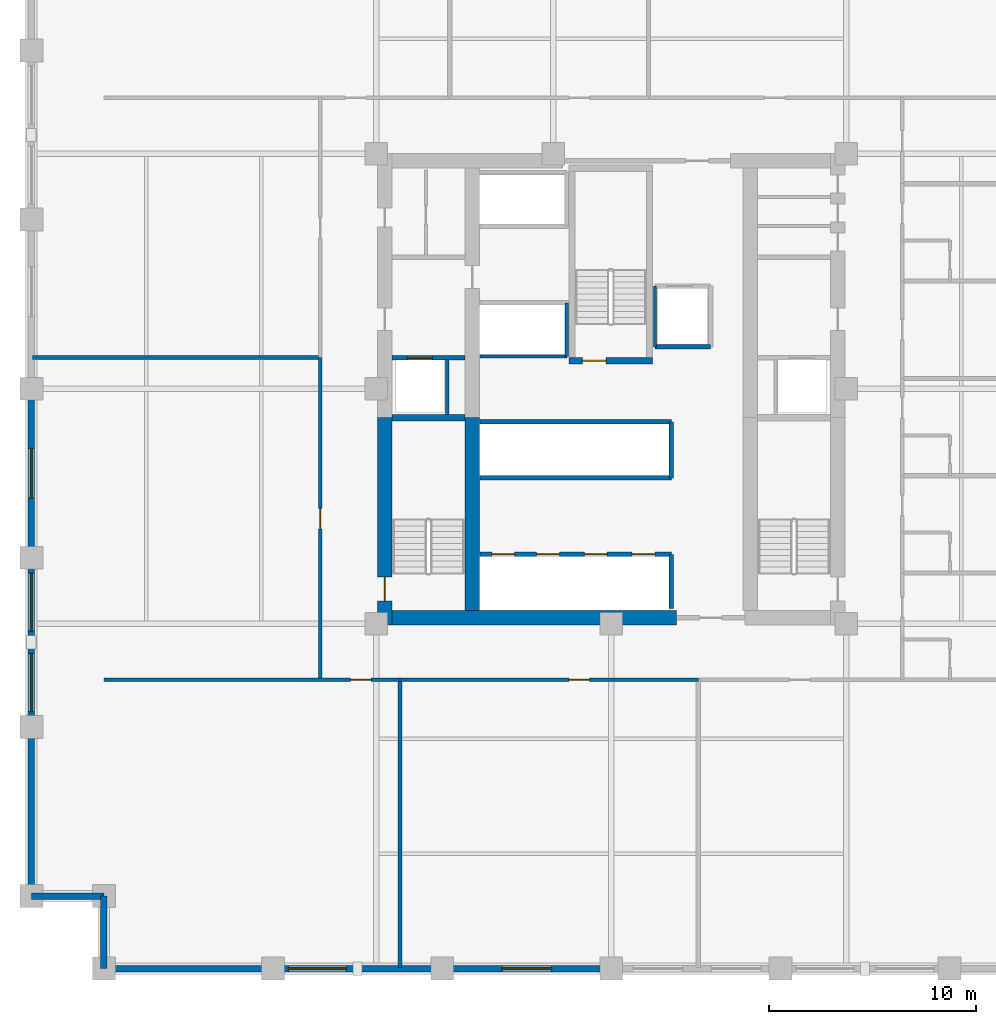
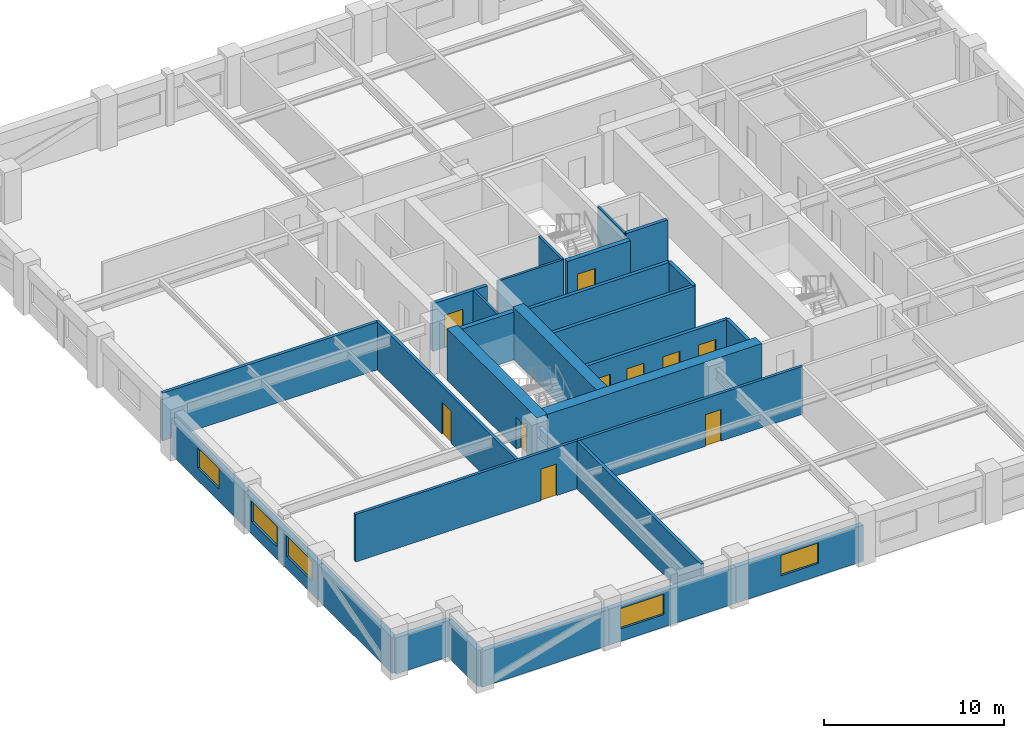
# One storey, part 2 of 7: 29 walls, 10 doors, 5 windows, 15 openings.
"""IFC4 building model written with IfcOpenShell, lengths in metres."""

from ifc_helpers import new_model, si_unit, direction, frame, frame_2d, origin, place, context, subcontext, project, spatial, rectangle, extrude, material, layer, layer_set, type_object, element, fill, save


model = new_model("IFC4")

# Units and contexts
model_context = context("Model", 3, precision=1e-05, world=origin(), true_north=direction((0.0, 1.0)))
body_context = subcontext(model_context, "Body", "Model", "MODEL_VIEW")
ifc_project = project(units=[si_unit("LENGTHUNIT", "METRE"), si_unit("AREAUNIT", "SQUARE_METRE"), si_unit("VOLUMEUNIT", "CUBIC_METRE"), si_unit("PLANEANGLEUNIT", "RADIAN"), si_unit("MASSUNIT", "GRAM", prefix="KILO")], contexts=[model_context])

# Site, building, storey
site_placement = place(None, origin())
site = spatial("IfcSite", under=ifc_project, at=site_placement, CompositionType="ELEMENT")
building_placement = place(site_placement, origin())
building = spatial("IfcBuilding", under=site, at=building_placement, Name="Nhamokura Convention Tower", CompositionType="ELEMENT")
storey_placement = place(building_placement, frame((0.0, 0.0, 73.85009765625)))
storey = spatial("IfcBuildingStorey", under=building, at=storey_placement, Name="L17", CompositionType="ELEMENT", Elevation=73.85009765625)

# Wall
ifc_material_1 = material(Name="Bronze-pigmented precast concrete C45/55", Category="concrete")
ifc_layer_1 = layer(ifc_material_1, 0.320068359375)
ifc_layer_set_1 = layer_set([ifc_layer_1], Name="BronzePrecastSpandrel_320")
wall_type_1 = type_object("IfcWallType", Name="BronzePrecastSpandrel_320", PredefinedType="USERDEFINED", material=ifc_layer_set_1)
wall_1_placement = place(storey_placement, frame((15.666748046875, 4.0, 0.0), z_axis=(0.0, 0.0, 1.0), x_axis=(-1.0, 0.0, 0.0)))
element("IfcWall", 1, at=wall_1_placement, inside=storey, type_object=wall_type_1, Name="L17 Braced-Bay Precast Wall SOUTH 0", ObjectType="SPANDREL_WALL", PredefinedType="USERDEFINED", context=body_context, shape_type="SweptSolid", body=[
    extrude(rectangle(XDim=8.166748046875, YDim=0.320068359375, at=frame_2d((4.08349609375, 0.0))), origin(), (0.0, 0.0, 1.0), 2.43994140625),
])

# Wall, opening, window
wall_2_placement = place(storey_placement, frame((23.833251953125, 4.0, 0.0), z_axis=(0.0, 0.0, 1.0), x_axis=(-1.0, 0.0, 0.0)))
wall_2 = element("IfcWall", 2, at=wall_2_placement, inside=storey, type_object=wall_type_1, Name="L17 Masonry-Frame Wall SOUTH 1", ObjectType="SPANDREL_WALL", PredefinedType="USERDEFINED", context=body_context, shape_type="SweptSolid", body=[
    extrude(rectangle(XDim=8.16650390625, YDim=0.320068359375, at=frame_2d((4.083251953125, 0.0))), origin(), (0.0, 0.0, 1.0), 2.43994140625),
])
opening_1_placement = place(wall_2_placement, frame((4.625, 0.0, 0.85009765625)))
opening_1 = element("IfcOpeningElement", 3, at=opening_1_placement, cuts=wall_2, Name="Opening W-04", PredefinedType="OPENING", context=body_context, shape_type="SweptSolid", body=[
    extrude(rectangle(XDim=2.800048828125, YDim=1.389892578125, at=frame_2d((1.39990234375, 0.69482421875))), frame((0.0, 0.169921875, 0.0), z_axis=(0.0, -1.0, 0.0), x_axis=(1.0, 0.0, 0.0)), (0.0, 0.0, 1.0), 0.340087890625),
])
ifc_material_2 = material(Name="Solar-control bronze low-E double glass", Category="glass")
window_type_1 = type_object("IfcWindowType", Name="HotelSuiteWindow_2800", PartitioningType="DOUBLE_PANEL_VERTICAL", PredefinedType="WINDOW", material=ifc_material_2)
window_1_placement = place(opening_1_placement, origin())
window_1 = element("IfcWindow", 4, at=window_1_placement, inside=storey, type_object=window_type_1, Name="L17 Facade Window SOUTH 1-3", OverallHeight=1.389892578125, OverallWidth=2.800048828125, PartitioningType="SINGLE_PANEL", PredefinedType="WINDOW", context=body_context, shape_type="SweptSolid", body=[
    extrude(rectangle(XDim=2.800048828125, YDim=1.389892578125, at=frame_2d((1.39990234375, 0.69482421875))), frame((0.0, 0.030029296875, 0.0), z_axis=(0.0, -1.0, 0.0), x_axis=(1.0, 0.0, 0.0)), (0.0, 0.0, 1.0), 0.06005859375),
])
fill(opening_1, window_1)

wall_3_placement = place(storey_placement, frame((32.0, 4.0, 0.0), z_axis=(0.0, 0.0, 1.0), x_axis=(-1.0, 0.0, 0.0)))
wall_3 = element("IfcWall", 5, at=wall_3_placement, inside=storey, type_object=wall_type_1, Name="L17 Masonry-Frame Wall SOUTH 2", ObjectType="SPANDREL_WALL", PredefinedType="USERDEFINED", context=body_context, shape_type="SweptSolid", body=[
    extrude(rectangle(XDim=8.166748046875, YDim=0.320068359375, at=frame_2d((4.08349609375, 0.0))), origin(), (0.0, 0.0, 1.0), 2.43994140625),
])
opening_2_placement = place(wall_3_placement, frame((2.88330078125, 0.0, 0.85009765625)))
opening_2 = element("IfcOpeningElement", 6, at=opening_2_placement, cuts=wall_3, Name="Opening W-03", PredefinedType="OPENING", context=body_context, shape_type="SweptSolid", body=[
    extrude(rectangle(XDim=2.39990234375, YDim=1.389892578125, at=frame_2d((1.199951171875, 0.69482421875))), frame((0.0, 0.169921875, 0.0), z_axis=(0.0, -1.0, 0.0), x_axis=(1.0, 0.0, 0.0)), (0.0, 0.0, 1.0), 0.340087890625),
])
ifc_material_3 = material(Name="Solar-control bronze low-E double glass", Category="glass")
window_type_2 = type_object("IfcWindowType", Name="HotelBayWindow_2400", PartitioningType="DOUBLE_PANEL_VERTICAL", PredefinedType="WINDOW", material=ifc_material_3)
window_2_placement = place(opening_2_placement, origin())
window_2 = element("IfcWindow", 7, at=window_2_placement, inside=storey, type_object=window_type_2, Name="L17 Facade Window SOUTH 2", OverallHeight=1.389892578125, OverallWidth=2.39990234375, PartitioningType="SINGLE_PANEL", PredefinedType="WINDOW", context=body_context, shape_type="SweptSolid", body=[
    extrude(rectangle(XDim=2.39990234375, YDim=1.389892578125, at=frame_2d((1.199951171875, 0.69482421875))), frame((0.0, 0.030029296875, 0.0), z_axis=(0.0, -1.0, 0.0), x_axis=(1.0, 0.0, 0.0)), (0.0, 0.0, 1.0), 0.06005859375),
])
fill(opening_2, window_2)

# Wall
wall_4_placement = place(storey_placement, frame((4.0, 7.5, 0.0), z_axis=(0.0, 0.0, 1.0), x_axis=(0.0, 1.0, 0.0)))
element("IfcWall", 8, at=wall_4_placement, inside=storey, type_object=wall_type_1, Name="L17 Braced-Bay Precast Wall WEST 0", ObjectType="SPANDREL_WALL", PredefinedType="USERDEFINED", context=body_context, shape_type="SweptSolid", body=[
    extrude(rectangle(XDim=8.166748046875, YDim=0.320068359375, at=frame_2d((4.08349609375, 0.0))), origin(), (0.0, 0.0, 1.0), 2.43994140625),
])

# Wall, openings, windows
wall_5_placement = place(storey_placement, frame((4.0, 15.666748046875, 0.0), z_axis=(0.0, 0.0, 1.0), x_axis=(0.0, 1.0, 0.0)))
wall_5 = element("IfcWall", 9, at=wall_5_placement, inside=storey, type_object=wall_type_1, Name="L17 Masonry-Frame Wall WEST 1", ObjectType="SPANDREL_WALL", PredefinedType="USERDEFINED", context=body_context, shape_type="SweptSolid", body=[
    extrude(rectangle(XDim=8.16650390625, YDim=0.320068359375, at=frame_2d((4.083251953125, 0.0))), origin(), (0.0, 0.0, 1.0), 2.43994140625),
])
opening_3_placement = place(wall_5_placement, frame((0.74169921875, 0.0, 0.85009765625)))
opening_3 = element("IfcOpeningElement", 10, at=opening_3_placement, cuts=wall_5, Name="Opening W-04", PredefinedType="OPENING", context=body_context, shape_type="SweptSolid", body=[
    extrude(rectangle(XDim=2.800048828125, YDim=1.389892578125, at=frame_2d((1.39990234375, 0.69482421875))), frame((0.0, 0.169921875, 0.0), z_axis=(0.0, -1.0, 0.0), x_axis=(1.0, 0.0, 0.0)), (0.0, 0.0, 1.0), 0.340087890625),
])
opening_4_placement = place(wall_5_placement, frame((4.625, 0.0, 0.85009765625)))
opening_4 = element("IfcOpeningElement", 11, at=opening_4_placement, cuts=wall_5, Name="Opening W-04", PredefinedType="OPENING", context=body_context, shape_type="SweptSolid", body=[
    extrude(rectangle(XDim=2.800048828125, YDim=1.389892578125, at=frame_2d((1.39990234375, 0.69482421875))), frame((0.0, 0.169921875, 0.0), z_axis=(0.0, -1.0, 0.0), x_axis=(1.0, 0.0, 0.0)), (0.0, 0.0, 1.0), 0.340087890625),
])
window_3_placement = place(opening_3_placement, origin())
window_3 = element("IfcWindow", 12, at=window_3_placement, inside=storey, type_object=window_type_1, Name="L17 Facade Window WEST 1-1", OverallHeight=1.389892578125, OverallWidth=2.800048828125, PartitioningType="SINGLE_PANEL", PredefinedType="WINDOW", context=body_context, shape_type="SweptSolid", body=[
    extrude(rectangle(XDim=2.800048828125, YDim=1.389892578125, at=frame_2d((1.39990234375, 0.69482421875))), frame((0.0, 0.030029296875, 0.0), z_axis=(0.0, -1.0, 0.0), x_axis=(1.0, 0.0, 0.0)), (0.0, 0.0, 1.0), 0.06005859375),
])
fill(opening_3, window_3)
window_4_placement = place(opening_4_placement, origin())
window_4 = element("IfcWindow", 13, at=window_4_placement, inside=storey, type_object=window_type_1, Name="L17 Facade Window WEST 1-2", OverallHeight=1.389892578125, OverallWidth=2.800048828125, PartitioningType="SINGLE_PANEL", PredefinedType="WINDOW", context=body_context, shape_type="SweptSolid", body=[
    extrude(rectangle(XDim=2.800048828125, YDim=1.389892578125, at=frame_2d((1.39990234375, 0.69482421875))), frame((0.0, 0.030029296875, 0.0), z_axis=(0.0, -1.0, 0.0), x_axis=(1.0, 0.0, 0.0)), (0.0, 0.0, 1.0), 0.06005859375),
])
fill(opening_4, window_4)

# Wall, opening, window
wall_6_placement = place(storey_placement, frame((4.0, 23.833251953125, 0.0), z_axis=(0.0, 0.0, 1.0), x_axis=(0.0, 1.0, 0.0)))
wall_6 = element("IfcWall", 14, at=wall_6_placement, inside=storey, type_object=wall_type_1, Name="L17 Masonry-Frame Wall WEST 2", ObjectType="SPANDREL_WALL", PredefinedType="USERDEFINED", context=body_context, shape_type="SweptSolid", body=[
    extrude(rectangle(XDim=8.166748046875, YDim=0.320068359375, at=frame_2d((4.08349609375, 0.0))), origin(), (0.0, 0.0, 1.0), 2.43994140625),
])
opening_5_placement = place(wall_6_placement, frame((2.88330078125, 0.0, 0.85009765625)))
opening_5 = element("IfcOpeningElement", 15, at=opening_5_placement, cuts=wall_6, Name="Opening W-03", PredefinedType="OPENING", context=body_context, shape_type="SweptSolid", body=[
    extrude(rectangle(XDim=2.39990234375, YDim=1.389892578125, at=frame_2d((1.199951171875, 0.69482421875))), frame((0.0, 0.169921875, 0.0), z_axis=(0.0, -1.0, 0.0), x_axis=(1.0, 0.0, 0.0)), (0.0, 0.0, 1.0), 0.340087890625),
])
window_5_placement = place(opening_5_placement, origin())
window_5 = element("IfcWindow", 16, at=window_5_placement, inside=storey, type_object=window_type_2, Name="L17 Facade Window WEST 2", OverallHeight=1.389892578125, OverallWidth=2.39990234375, PartitioningType="SINGLE_PANEL", PredefinedType="WINDOW", context=body_context, shape_type="SweptSolid", body=[
    extrude(rectangle(XDim=2.39990234375, YDim=1.389892578125, at=frame_2d((1.199951171875, 0.69482421875))), frame((0.0, 0.030029296875, 0.0), z_axis=(0.0, -1.0, 0.0), x_axis=(1.0, 0.0, 0.0)), (0.0, 0.0, 1.0), 0.06005859375),
])
fill(opening_5, window_5)

# Walls
for number, where, z_axis, x_axis, name in (
    (17, (7.5, 4.0, 0.0), (0.0, 0.0, 1.0), (0.0, 1.0, 0.0), "L17 Notched Corner Wall SW1"),
    (18, (7.5, 7.5, 0.0), (0.0, 0.0, 1.0), (-1.0, 0.0, 0.0), "L17 Notched Corner Wall SW2"),
):
    element("IfcWall", number, at=place(storey_placement, frame(where, z_axis=z_axis, x_axis=x_axis)), inside=storey, type_object=wall_type_1, Name=name, ObjectType="SPANDREL_WALL", PredefinedType="USERDEFINED", context=body_context, shape_type="SweptSolid", body=[
        extrude(rectangle(XDim=3.5, YDim=0.320068359375, at=frame_2d((1.75, 0.0))), origin(), (0.0, 0.0, 1.0), 2.43994140625),
    ])

# Wall, opening, door
ifc_material_4 = material(Name="Concrete C70/85", Category="concrete")
ifc_layer_2 = layer(ifc_material_4, 0.699951171875)
ifc_layer_set_2 = layer_set([ifc_layer_2], Name="CoreShearWall_700")
wall_type_2 = type_object("IfcWallType", Name="CoreShearWall_700", PredefinedType="SHEAR", material=ifc_layer_set_2)
wall_7_placement = place(storey_placement, frame((21.06005859375, 20.60009765625, 0.0), z_axis=(0.0, 0.0, 1.0), x_axis=(0.0, 1.0, 0.0)))
wall_7 = element("IfcWall", 19, at=wall_7_placement, inside=storey, type_object=wall_type_2, Name="L17 Core Shear Wall CW-WS", PredefinedType="SHEAR", context=body_context, shape_type="SweptSolid", body=[
    extrude(rectangle(XDim=10.0, YDim=0.699951171875, at=frame_2d((5.0, 0.0))), origin(), (0.0, 0.0, 1.0), 3.5),
])
opening_6_placement = place(wall_7_placement, frame((1.14990234375, 0.0, 0.0)))
opening_6 = element("IfcOpeningElement", 20, at=opening_6_placement, cuts=wall_7, Name="Opening D-04", PredefinedType="OPENING", context=body_context, shape_type="SweptSolid", body=[
    extrude(rectangle(XDim=1.14990234375, YDim=2.14990234375, at=frame_2d((0.574951171875, 1.074951171875))), frame((0.0, 0.35986328125, 0.0), z_axis=(0.0, -1.0, 0.0), x_axis=(1.0, 0.0, 0.0)), (0.0, 0.0, 1.0), 0.719970703125),
])
ifc_material_5 = material(Name="Fire-rated steel door", Category="steel")
door_type_1 = type_object("IfcDoorType", Name="StairSmokeDoor_1150", OperationType="NOTDEFINED", PredefinedType="DOOR", material=ifc_material_5)
door_1_placement = place(opening_6_placement, origin())
door_1 = element("IfcDoor", 21, at=door_1_placement, inside=storey, type_object=door_type_1, Name="L17 Core Door INT-L17-D-ST01", OperationType="SINGLE_SWING_LEFT", OverallHeight=2.14990234375, OverallWidth=1.14990234375, PredefinedType="DOOR", context=body_context, shape_type="SweptSolid", body=[
    extrude(rectangle(XDim=1.14990234375, YDim=2.14990234375, at=frame_2d((0.574951171875, 1.074951171875))), frame((0.0, 0.02490234375, 0.0), z_axis=(0.0, -1.0, 0.0), x_axis=(1.0, 0.0, 0.0)), (0.0, 0.0, 1.0), 0.050048828125),
])
fill(opening_6, door_1)

# Walls
wall_8_placement = place(storey_placement, frame((21.409912109375, 20.949951171875, 0.0), z_axis=(0.0, 0.0, 1.0), x_axis=(1.0, 0.0, 0.0)))
element("IfcWall", 22, at=wall_8_placement, inside=storey, type_object=wall_type_2, Name="L17 Core Shear Wall CW-S1", PredefinedType="SHEAR", context=body_context, shape_type="SweptSolid", body=[
    extrude(rectangle(XDim=13.739990234375, YDim=0.699951171875, at=frame_2d((6.8701171875, 0.0))), origin(), (0.0, 0.0, 1.0), 3.5),
])
wall_9_placement = place(storey_placement, frame((25.2900390625, 21.300048828125, 0.0), z_axis=(0.0, 0.0, 1.0), x_axis=(0.0, 1.0, 0.0)))
element("IfcWall", 23, at=wall_9_placement, inside=storey, type_object=wall_type_2, Name="L17 Core Shear Wall CW-IWS", PredefinedType="SHEAR", context=body_context, shape_type="SweptSolid", body=[
    extrude(rectangle(XDim=9.300048828125, YDim=0.699951171875, at=frame_2d((4.64990234375, 0.0))), origin(), (0.0, 0.0, 1.0), 3.5),
])

# Wall, opening, door
ifc_material_6 = material(Name="Fire-rated gypsum and masonry partition", Category="masonry")
ifc_layer_3 = layer(ifc_material_6, 0.179931640625)
ifc_layer_set_3 = layer_set([ifc_layer_3], Name="CorridorRatedWall_180")
wall_type_3 = type_object("IfcWallType", Name="CorridorRatedWall_180", PredefinedType="STANDARD", material=ifc_layer_set_3)
wall_10_placement = place(storey_placement, frame((7.5, 17.949951171875, 0.0), z_axis=(0.0, 0.0, 1.0), x_axis=(1.0, 0.0, 0.0)))
wall_10 = element("IfcWall", 24, at=wall_10_placement, inside=storey, type_object=wall_type_3, Name="L17 Wall INT-L17-CW-S00", PredefinedType="STANDARD", context=body_context, shape_type="SweptSolid", body=[
    extrude(rectangle(XDim=14.300048828125, YDim=0.179931640625, at=frame_2d((7.14990234375, 0.0))), origin(), (0.0, 0.0, 1.0), 3.239990234375),
])
opening_7_placement = place(wall_10_placement, frame((11.89990234375, 0.0, 0.0)))
opening_7 = element("IfcOpeningElement", 25, at=opening_7_placement, cuts=wall_10, Name="Opening D-07", PredefinedType="OPENING", context=body_context, shape_type="SweptSolid", body=[
    extrude(rectangle(XDim=1.0, YDim=2.14990234375, at=frame_2d((0.5, 1.074951171875))), frame((0.0, 0.099853515625, 0.0), z_axis=(0.0, -1.0, 0.0), x_axis=(1.0, 0.0, 0.0)), (0.0, 0.0, 1.0), 0.199951171875),
])
ifc_material_7 = material(Name="Solid oak hardwood", Category="wood")
door_type_2 = type_object("IfcDoorType", Name="HotelSuiteEntryDoor_1000", OperationType="NOTDEFINED", PredefinedType="DOOR", material=ifc_material_7)
door_2_placement = place(opening_7_placement, origin())
door_2 = element("IfcDoor", 26, at=door_2_placement, inside=storey, type_object=door_type_2, Name="L17 Conference Salon S01 Door", OperationType="SINGLE_SWING_LEFT", OverallHeight=2.14990234375, OverallWidth=1.0, PredefinedType="DOOR", context=body_context, shape_type="SweptSolid", body=[
    extrude(rectangle(XDim=1.0, YDim=2.14990234375, at=frame_2d((0.5, 1.074951171875))), frame((0.0, 0.02490234375, 0.0), z_axis=(0.0, -1.0, 0.0), x_axis=(1.0, 0.0, 0.0)), (0.0, 0.0, 1.0), 0.050048828125),
])
fill(opening_7, door_2)

wall_11_placement = place(storey_placement, frame((21.800048828125, 17.949951171875, 0.0), z_axis=(0.0, 0.0, 1.0), x_axis=(1.0, 0.0, 0.0)))
wall_11 = element("IfcWall", 27, at=wall_11_placement, inside=storey, type_object=wall_type_3, Name="L17 Wall INT-L17-CW-S01", PredefinedType="STANDARD", context=body_context, shape_type="SweptSolid", body=[
    extrude(rectangle(XDim=14.39990234375, YDim=0.179931640625, at=frame_2d((7.199951171875, 0.0))), origin(), (0.0, 0.0, 1.0), 3.239990234375),
])
opening_8_placement = place(wall_11_placement, frame((8.14990234375, 0.0, 0.0)))
opening_8 = element("IfcOpeningElement", 28, at=opening_8_placement, cuts=wall_11, Name="Opening D-07", PredefinedType="OPENING", context=body_context, shape_type="SweptSolid", body=[
    extrude(rectangle(XDim=1.0, YDim=2.14990234375, at=frame_2d((0.5, 1.074951171875))), frame((0.0, 0.099853515625, 0.0), z_axis=(0.0, -1.0, 0.0), x_axis=(1.0, 0.0, 0.0)), (0.0, 0.0, 1.0), 0.199951171875),
])
door_3_placement = place(opening_8_placement, origin())
door_3 = element("IfcDoor", 29, at=door_3_placement, inside=storey, type_object=door_type_2, Name="L17 Conference Salon S02 Door", OperationType="SINGLE_SWING_RIGHT", OverallHeight=2.14990234375, OverallWidth=1.0, PredefinedType="DOOR", context=body_context, shape_type="SweptSolid", body=[
    extrude(rectangle(XDim=1.0, YDim=2.14990234375, at=frame_2d((0.5, 1.074951171875))), frame((0.0, 0.02490234375, 0.0), z_axis=(0.0, -1.0, 0.0), x_axis=(1.0, 0.0, 0.0)), (0.0, 0.0, 1.0), 0.050048828125),
])
fill(opening_8, door_3)

wall_12_placement = place(storey_placement, frame((17.949951171875, 17.949951171875, 0.0), z_axis=(0.0, 0.0, 1.0), x_axis=(0.0, 1.0, 0.0)))
wall_12 = element("IfcWall", 30, at=wall_12_placement, inside=storey, type_object=wall_type_3, Name="L17 Wall INT-L17-CW-W00", PredefinedType="STANDARD", context=body_context, shape_type="SweptSolid", body=[
    extrude(rectangle(XDim=15.550048828125, YDim=0.179931640625, at=frame_2d((7.77490234375, 0.0))), origin(), (0.0, 0.0, 1.0), 3.239990234375),
])
opening_9_placement = place(wall_12_placement, frame((7.27490234375, 0.0, 0.0)))
opening_9 = element("IfcOpeningElement", 31, at=opening_9_placement, cuts=wall_12, Name="Opening D-07", PredefinedType="OPENING", context=body_context, shape_type="SweptSolid", body=[
    extrude(rectangle(XDim=1.0, YDim=2.14990234375, at=frame_2d((0.5, 1.074951171875))), frame((0.0, 0.099853515625, 0.0), z_axis=(0.0, -1.0, 0.0), x_axis=(1.0, 0.0, 0.0)), (0.0, 0.0, 1.0), 0.199951171875),
])
door_4_placement = place(opening_9_placement, origin())
door_4 = element("IfcDoor", 32, at=door_4_placement, inside=storey, type_object=door_type_2, Name="L17 Hotel Club Dining Room W01 Door", OperationType="SINGLE_SWING_LEFT", OverallHeight=2.14990234375, OverallWidth=1.0, PredefinedType="DOOR", context=body_context, shape_type="SweptSolid", body=[
    extrude(rectangle(XDim=1.0, YDim=2.14990234375, at=frame_2d((0.5, 1.074951171875))), frame((0.0, 0.02490234375, 0.0), z_axis=(0.0, -1.0, 0.0), x_axis=(1.0, 0.0, 0.0)), (0.0, 0.0, 1.0), 0.050048828125),
])
fill(opening_9, door_4)

ifc_material_8 = material(Name="Autoclaved concrete blockwork", Category="masonry")
ifc_layer_4 = layer(ifc_material_8, 0.219970703125)
ifc_layer_set_4 = layer_set([ifc_layer_4], Name="FireLobbyWall_220")
wall_type_4 = type_object("IfcWallType", Name="FireLobbyWall_220", PredefinedType="STANDARD", material=ifc_layer_set_4)
wall_13_placement = place(storey_placement, frame((21.409912109375, 33.5, 0.0), z_axis=(0.0, 0.0, 1.0), x_axis=(1.0, 0.0, 0.0)))
wall_13 = element("IfcWall", 33, at=wall_13_placement, inside=storey, type_object=wall_type_4, Name="L17 Wall INT-L17-FFW-S", PredefinedType="STANDARD", context=body_context, shape_type="SweptSolid", body=[
    extrude(rectangle(XDim=3.530029296875, YDim=0.219970703125, at=frame_2d((1.76513671875, 0.0))), origin(), (0.0, 0.0, 1.0), 3.239990234375),
])
opening_10_placement = place(wall_13_placement, frame((0.75, 0.0, 0.0)))
opening_10 = element("IfcOpeningElement", 34, at=opening_10_placement, cuts=wall_13, Name="Opening LD-02", PredefinedType="OPENING", context=body_context, shape_type="SweptSolid", body=[
    extrude(rectangle(XDim=1.199951171875, YDim=2.199951171875, at=frame_2d((0.60009765625, 1.10009765625))), frame((0.0, 0.119873046875, 0.0), z_axis=(0.0, -1.0, 0.0), x_axis=(1.0, 0.0, 0.0)), (0.0, 0.0, 1.0), 0.239990234375),
])
ifc_material_9 = material(Name="Anodised bronze stainless steel", Category="steel")
door_type_3 = type_object("IfcDoorType", Name="LiftLandingDoor_FireService", OperationType="DOUBLE_DOOR_SLIDING", PredefinedType="DOOR", material=ifc_material_9)
door_5_placement = place(opening_10_placement, origin())
door_5 = element("IfcDoor", 35, at=door_5_placement, inside=storey, type_object=door_type_3, Name="L17 Firefighting Lift LF-01 Door", OperationType="DOUBLE_DOOR_SLIDING", OverallHeight=2.199951171875, OverallWidth=1.199951171875, PredefinedType="DOOR", context=body_context, shape_type="SweptSolid", body=[
    extrude(rectangle(XDim=1.199951171875, YDim=2.199951171875, at=frame_2d((0.60009765625, 1.10009765625))), frame((0.0, 0.02490234375, 0.0), z_axis=(0.0, -1.0, 0.0), x_axis=(1.0, 0.0, 0.0)), (0.0, 0.0, 1.0), 0.050048828125),
])
fill(opening_10, door_5)

# Wall, openings, doors
wall_14_placement = place(storey_placement, frame((25.64990234375, 24.0, 0.0), z_axis=(0.0, 0.0, 1.0), x_axis=(1.0, 0.0, 0.0)))
wall_14 = element("IfcWall", 36, at=wall_14_placement, inside=storey, type_object=wall_type_4, Name="L17 Wall INT-L17-B1N", PredefinedType="STANDARD", context=body_context, shape_type="SweptSolid", body=[
    extrude(rectangle(XDim=9.25, YDim=0.219970703125, at=frame_2d((4.625, 0.0))), origin(), (0.0, 0.0, 1.0), 3.239990234375),
])
opening_11_placement = place(wall_14_placement, frame((0.580078125, 0.0, 0.0)))
opening_11 = element("IfcOpeningElement", 37, at=opening_11_placement, cuts=wall_14, Name="Opening LD-01", PredefinedType="OPENING", context=body_context, shape_type="SweptSolid", body=[
    extrude(rectangle(XDim=1.10009765625, YDim=2.14990234375, at=frame_2d((0.550048828125, 1.074951171875))), frame((0.0, 0.119873046875, 0.0), z_axis=(0.0, -1.0, 0.0), x_axis=(1.0, 0.0, 0.0)), (0.0, 0.0, 1.0), 0.239990234375),
])
opening_12_placement = place(wall_14_placement, frame((2.75, 0.0, 0.0)))
opening_12 = element("IfcOpeningElement", 38, at=opening_12_placement, cuts=wall_14, Name="Opening LD-01", PredefinedType="OPENING", context=body_context, shape_type="SweptSolid", body=[
    extrude(rectangle(XDim=1.10009765625, YDim=2.14990234375, at=frame_2d((0.550048828125, 1.074951171875))), frame((0.0, 0.119873046875, 0.0), z_axis=(0.0, -1.0, 0.0), x_axis=(1.0, 0.0, 0.0)), (0.0, 0.0, 1.0), 0.239990234375),
])
opening_13_placement = place(wall_14_placement, frame((5.050048828125, 0.0, 0.0)))
opening_13 = element("IfcOpeningElement", 39, at=opening_13_placement, cuts=wall_14, Name="Opening LD-01", PredefinedType="OPENING", context=body_context, shape_type="SweptSolid", body=[
    extrude(rectangle(XDim=1.10009765625, YDim=2.14990234375, at=frame_2d((0.550048828125, 1.074951171875))), frame((0.0, 0.119873046875, 0.0), z_axis=(0.0, -1.0, 0.0), x_axis=(1.0, 0.0, 0.0)), (0.0, 0.0, 1.0), 0.239990234375),
])
opening_14_placement = place(wall_14_placement, frame((7.35009765625, 0.0, 0.0)))
opening_14 = element("IfcOpeningElement", 40, at=opening_14_placement, cuts=wall_14, Name="Opening LD-01", PredefinedType="OPENING", context=body_context, shape_type="SweptSolid", body=[
    extrude(rectangle(XDim=1.10009765625, YDim=2.14990234375, at=frame_2d((0.550048828125, 1.074951171875))), frame((0.0, 0.119873046875, 0.0), z_axis=(0.0, -1.0, 0.0), x_axis=(1.0, 0.0, 0.0)), (0.0, 0.0, 1.0), 0.239990234375),
])
ifc_material_10 = material(Name="Anodised bronze stainless steel", Category="steel")
door_type_4 = type_object("IfcDoorType", Name="LiftLandingDoor_Passenger", OperationType="DOUBLE_DOOR_SLIDING", PredefinedType="DOOR", material=ifc_material_10)
door_6_placement = place(opening_11_placement, origin())
door_6 = element("IfcDoor", 41, at=door_6_placement, inside=storey, type_object=door_type_4, Name="L17 Lift LP-01 Landing Door", OperationType="DOUBLE_DOOR_SLIDING", OverallHeight=2.14990234375, OverallWidth=1.10009765625, PredefinedType="DOOR", context=body_context, shape_type="SweptSolid", body=[
    extrude(rectangle(XDim=1.10009765625, YDim=2.14990234375, at=frame_2d((0.550048828125, 1.074951171875))), frame((0.0, 0.02490234375, 0.0), z_axis=(0.0, -1.0, 0.0), x_axis=(1.0, 0.0, 0.0)), (0.0, 0.0, 1.0), 0.050048828125),
])
fill(opening_11, door_6)
door_7_placement = place(opening_12_placement, origin())
door_7 = element("IfcDoor", 42, at=door_7_placement, inside=storey, type_object=door_type_4, Name="L17 Lift LP-02 Landing Door", OperationType="DOUBLE_DOOR_SLIDING", OverallHeight=2.14990234375, OverallWidth=1.10009765625, PredefinedType="DOOR", context=body_context, shape_type="SweptSolid", body=[
    extrude(rectangle(XDim=1.10009765625, YDim=2.14990234375, at=frame_2d((0.550048828125, 1.074951171875))), frame((0.0, 0.02490234375, 0.0), z_axis=(0.0, -1.0, 0.0), x_axis=(1.0, 0.0, 0.0)), (0.0, 0.0, 1.0), 0.050048828125),
])
fill(opening_12, door_7)
door_8_placement = place(opening_13_placement, origin())
door_8 = element("IfcDoor", 43, at=door_8_placement, inside=storey, type_object=door_type_4, Name="L17 Lift LP-03 Landing Door", OperationType="DOUBLE_DOOR_SLIDING", OverallHeight=2.14990234375, OverallWidth=1.10009765625, PredefinedType="DOOR", context=body_context, shape_type="SweptSolid", body=[
    extrude(rectangle(XDim=1.10009765625, YDim=2.14990234375, at=frame_2d((0.550048828125, 1.074951171875))), frame((0.0, 0.02490234375, 0.0), z_axis=(0.0, -1.0, 0.0), x_axis=(1.0, 0.0, 0.0)), (0.0, 0.0, 1.0), 0.050048828125),
])
fill(opening_13, door_8)
door_9_placement = place(opening_14_placement, origin())
door_9 = element("IfcDoor", 44, at=door_9_placement, inside=storey, type_object=door_type_4, Name="L17 Lift LP-04 Landing Door", OperationType="DOUBLE_DOOR_SLIDING", OverallHeight=2.14990234375, OverallWidth=1.10009765625, PredefinedType="DOOR", context=body_context, shape_type="SweptSolid", body=[
    extrude(rectangle(XDim=1.10009765625, YDim=2.14990234375, at=frame_2d((0.550048828125, 1.074951171875))), frame((0.0, 0.02490234375, 0.0), z_axis=(0.0, -1.0, 0.0), x_axis=(1.0, 0.0, 0.0)), (0.0, 0.0, 1.0), 0.050048828125),
])
fill(opening_14, door_9)

# Walls
wall_15_placement = place(storey_placement, frame((34.89990234375, 21.39990234375, 0.0), z_axis=(0.0, 0.0, 1.0), x_axis=(0.0, 1.0, 0.0)))
element("IfcWall", 45, at=wall_15_placement, inside=storey, type_object=wall_type_4, Name="L17 Wall INT-L17-B1E", PredefinedType="STANDARD", context=body_context, shape_type="SweptSolid", body=[
    extrude(rectangle(XDim=2.60009765625, YDim=0.219970703125, at=frame_2d((1.300048828125, 0.0))), origin(), (0.0, 0.0, 1.0), 3.239990234375),
])
for number, where, z_axis, x_axis, name in (
    (46, (25.64990234375, 27.699951171875, 0.0), (0.0, 0.0, 1.0), (1.0, 0.0, 0.0), "L17 Wall INT-L17-B2S"),
    (47, (25.64990234375, 30.39990234375, 0.0), (0.0, 0.0, 1.0), (1.0, 0.0, 0.0), "L17 Wall INT-L17-B2N"),
):
    element("IfcWall", number, at=place(storey_placement, frame(where, z_axis=z_axis, x_axis=x_axis)), inside=storey, type_object=wall_type_4, Name=name, PredefinedType="STANDARD", context=body_context, shape_type="SweptSolid", body=[
        extrude(rectangle(XDim=9.25, YDim=0.219970703125, at=frame_2d((4.625, 0.0))), origin(), (0.0, 0.0, 1.0), 3.239990234375),
    ])
wall_16_placement = place(storey_placement, frame((34.89990234375, 27.699951171875, 0.0), z_axis=(0.0, 0.0, 1.0), x_axis=(0.0, 1.0, 0.0)))
element("IfcWall", 48, at=wall_16_placement, inside=storey, type_object=wall_type_4, Name="L17 Wall INT-L17-B2E", PredefinedType="STANDARD", context=body_context, shape_type="SweptSolid", body=[
    extrude(rectangle(XDim=2.699951171875, YDim=0.219970703125, at=frame_2d((1.35009765625, 0.0))), origin(), (0.0, 0.0, 1.0), 3.239990234375),
])
wall_17_placement = place(storey_placement, frame((34.1201171875, 34.02001953125, 0.0), z_axis=(0.0, 0.0, 1.0), x_axis=(1.0, 0.0, 0.0)))
element("IfcWall", 49, at=wall_17_placement, inside=storey, type_object=wall_type_4, Name="L17 Wall INT-L17-LSS", PredefinedType="STANDARD", context=body_context, shape_type="SweptSolid", body=[
    extrude(rectangle(XDim=2.679931640625, YDim=0.219970703125, at=frame_2d((1.33984375, 0.0))), origin(), (0.0, 0.0, 1.0), 3.239990234375),
])
ifc_material_11 = material(Name="Acoustic twin-stud gypsum partition", Category="masonry")
ifc_layer_5 = layer(ifc_material_11, 0.199951171875)
ifc_layer_set_5 = layer_set([ifc_layer_5], Name="HotelDemisingWall_200")
wall_type_5 = type_object("IfcWallType", Name="HotelDemisingWall_200", PredefinedType="STANDARD", material=ifc_layer_set_5)
for number, where, z_axis, x_axis, name in (
    (50, (21.800048828125, 4.06005859375, 0.0), (0.0, 0.0, 1.0), (0.0, 1.0, 0.0), "L17 Wall INT-L17-RW-S01"),
    (51, (4.06005859375, 33.5, 0.0), (0.0, 0.0, 1.0), (1.0, 0.0, 0.0), "L17 Wall INT-L17-RW-W01"),
):
    element("IfcWall", number, at=place(storey_placement, frame(where, z_axis=z_axis, x_axis=x_axis)), inside=storey, type_object=wall_type_5, Name=name, PredefinedType="STANDARD", context=body_context, shape_type="SweptSolid", body=[
        extrude(rectangle(XDim=13.889892578125, YDim=0.199951171875, at=frame_2d((6.94482421875, 0.0))), origin(), (0.0, 0.0, 1.0), 3.239990234375),
    ])
ifc_material_12 = material(Name="Acoustic gypsum stud partition", Category="masonry")
ifc_layer_6 = layer(ifc_material_12, 0.14990234375)
ifc_layer_set_6 = layer_set([ifc_layer_6], Name="InteriorPartition_150")
wall_type_6 = type_object("IfcWallType", Name="InteriorPartition_150", PredefinedType="STANDARD", material=ifc_layer_set_6)
wall_18_placement = place(storey_placement, frame((24.080078125, 30.75, 0.0), z_axis=(0.0, 0.0, 1.0), x_axis=(0.0, 1.0, 0.0)))
element("IfcWall", 52, at=wall_18_placement, inside=storey, type_object=wall_type_6, Name="L17 Wall INT-L17-FF1-E", PredefinedType="STANDARD", context=body_context, shape_type="SweptSolid", body=[
    extrude(rectangle(XDim=2.64990234375, YDim=0.14990234375, at=frame_2d((1.324951171875, 0.0))), origin(), (0.0, 0.0, 1.0), 3.239990234375),
])
wall_19_placement = place(storey_placement, frame((25.64990234375, 33.550048828125, 0.0), z_axis=(0.0, 0.0, 1.0), x_axis=(1.0, 0.0, 0.0)))
element("IfcWall", 53, at=wall_19_placement, inside=storey, type_object=wall_type_6, Name="L17 Wall INT-L17-B3A-S", PredefinedType="STANDARD", context=body_context, shape_type="SweptSolid", body=[
    extrude(rectangle(XDim=4.2001953125, YDim=0.14990234375, at=frame_2d((2.10009765625, 0.0))), origin(), (0.0, 0.0, 1.0), 3.239990234375),
])
wall_20_placement = place(storey_placement, frame((29.85009765625, 33.550048828125, 0.0), z_axis=(0.0, 0.0, 1.0), x_axis=(0.0, 1.0, 0.0)))
element("IfcWall", 54, at=wall_20_placement, inside=storey, type_object=wall_type_6, Name="L17 Wall INT-L17-B3A-E", PredefinedType="STANDARD", context=body_context, shape_type="SweptSolid", body=[
    extrude(rectangle(XDim=2.599853515625, YDim=0.14990234375, at=frame_2d((1.2998046875, 0.0))), origin(), (0.0, 0.0, 1.0), 3.239990234375),
])
wall_21_placement = place(storey_placement, frame((34.1201171875, 34.02001953125, 0.0), z_axis=(0.0, 0.0, 1.0), x_axis=(0.0, 1.0, 0.0)))
element("IfcWall", 55, at=wall_21_placement, inside=storey, type_object=wall_type_6, Name="L17 Wall INT-L17-LSW", PredefinedType="STANDARD", context=body_context, shape_type="SweptSolid", body=[
    extrude(rectangle(XDim=2.929931640625, YDim=0.14990234375, at=frame_2d((1.46484375, 0.0))), origin(), (0.0, 0.0, 1.0), 3.239990234375),
])
ifc_material_13 = material(Name="Concrete C50/60", Category="concrete")
ifc_layer_7 = layer(ifc_material_13, 0.300048828125)
ifc_layer_set_7 = layer_set([ifc_layer_7], Name="ShaftEnclosureWall_300")
wall_type_7 = type_object("IfcWallType", Name="ShaftEnclosureWall_300", PredefinedType="SHEAR", material=ifc_layer_set_7)
wall_22_placement = place(storey_placement, frame((21.409912109375, 30.60009765625, 0.0), z_axis=(0.0, 0.0, 1.0), x_axis=(1.0, 0.0, 0.0)))
element("IfcWall", 56, at=wall_22_placement, inside=storey, type_object=wall_type_7, Name="L17 Wall INT-L17-ST01-N", PredefinedType="SHEAR", context=body_context, shape_type="SweptSolid", body=[
    extrude(rectangle(XDim=3.530029296875, YDim=0.300048828125, at=frame_2d((1.76513671875, 0.0))), origin(), (0.0, 0.0, 1.0), 3.239990234375),
])

# Wall, opening, door
wall_23_placement = place(storey_placement, frame((29.949951171875, 33.35009765625, 0.0), z_axis=(0.0, 0.0, 1.0), x_axis=(1.0, 0.0, 0.0)))
wall_23 = element("IfcWall", 57, at=wall_23_placement, inside=storey, type_object=wall_type_7, Name="L17 Wall INT-L17-ST03S", PredefinedType="SHEAR", context=body_context, shape_type="SweptSolid", body=[
    extrude(rectangle(XDim=4.050048828125, YDim=0.300048828125, at=frame_2d((2.02490234375, 0.0))), origin(), (0.0, 0.0, 1.0), 3.239990234375),
])
opening_15_placement = place(wall_23_placement, frame((0.64990234375, 0.0, 0.0)))
opening_15 = element("IfcOpeningElement", 58, at=opening_15_placement, cuts=wall_23, Name="Opening D-04", PredefinedType="OPENING", context=body_context, shape_type="SweptSolid", body=[
    extrude(rectangle(XDim=1.14990234375, YDim=2.14990234375, at=frame_2d((0.574951171875, 1.074951171875))), frame((0.0, 0.159912109375, 0.0), z_axis=(0.0, -1.0, 0.0), x_axis=(1.0, 0.0, 0.0)), (0.0, 0.0, 1.0), 0.320068359375),
])
door_10_placement = place(opening_15_placement, origin())
door_10 = element("IfcDoor", 59, at=door_10_placement, inside=storey, type_object=door_type_1, Name="L17 Stair ST-03 Smoke Door", OperationType="SINGLE_SWING_LEFT", OverallHeight=2.14990234375, OverallWidth=1.14990234375, PredefinedType="DOOR", context=body_context, shape_type="SweptSolid", body=[
    extrude(rectangle(XDim=1.14990234375, YDim=2.14990234375, at=frame_2d((0.574951171875, 1.074951171875))), frame((0.0, 0.02490234375, 0.0), z_axis=(0.0, -1.0, 0.0), x_axis=(1.0, 0.0, 0.0)), (0.0, 0.0, 1.0), 0.050048828125),
])
fill(opening_15, door_10)

save(model, "model.ifc")
